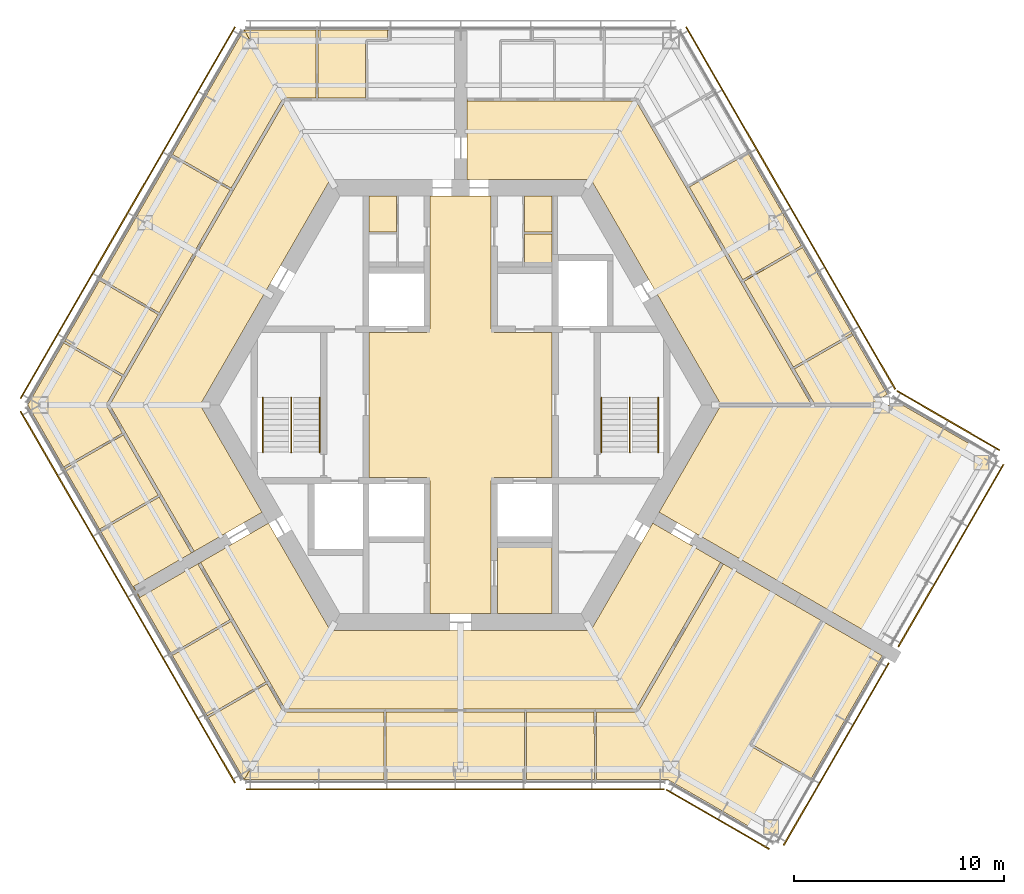
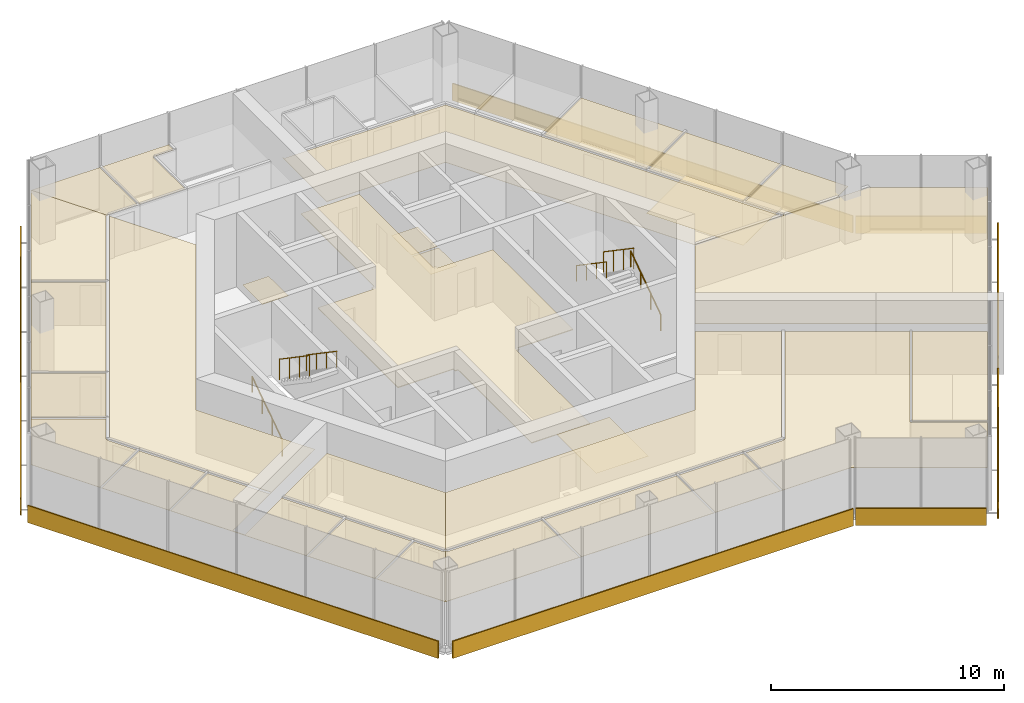
# One storey, part 12 of 13: 30 coverings, 8 shading devices, 6 railings.
"""IFC4 building model written with IfcOpenShell, lengths in metres."""

import ifcopenshell
import ifcopenshell.guid

model = None  # the IFC model being written
_history = None  # IfcOwnerHistory: only IFC2X3 demands one
_inside = {}  # id of a spatial element -> (the spatial element, [elements in it])
_under = {}  # id of a project, library or spatial element -> (it, [spatial elements below it])
_declared = {}  # id of a project -> (the project, [libraries it declares])
_typed = {}  # id of a type object -> (the type object, [elements of that type])
_made_of = {}  # id of a material, layer set ... -> (it, [elements and type objects made of it])


def new_model(schema):
    """Start an empty IFC model of exactly this schema.

    Asked for "IFC4X3", IfcOpenShell would pick the latest addendum, in which some entities
    have other attributes; the version numbers below select the first issue.
    IFC2X3 requires an IfcOwnerHistory on every rooted entity: one is made here for all.
    """
    global model, _history
    if schema == "IFC4X3":
        model = ifcopenshell.file(schema_version=(4, 3, 0, 0))
    else:
        model = ifcopenshell.file(schema=schema)
    _inside.clear()
    _under.clear()
    _declared.clear()
    _typed.clear()
    _made_of.clear()
    _history = None
    if model.schema == "IFC2X3":
        org = make("IfcOrganization", Name="unknown")
        user = make(
            "IfcPersonAndOrganization",
            ThePerson=make("IfcPerson", FamilyName="unknown"),
            TheOrganization=org,
        )
        app = make(
            "IfcApplication",
            ApplicationDeveloper=org,
            Version="unknown",
            ApplicationFullName="unknown",
            ApplicationIdentifier="unknown",
        )
        _history = make(
            "IfcOwnerHistory",
            OwningUser=user,
            OwningApplication=app,
            ChangeAction="ADDED",
            CreationDate=0,
        )
    return model


def make(cls, **values):
    """One entity of the class cls with the attributes given. An attribute that is None is left unset."""
    return model.create_entity(
        cls, **{name: value for name, value in values.items() if value is not None}
    )


def rooted(cls, **values):
    """An entity with a GlobalId (a new one), such as an element, a storey or a relation."""
    return make(cls, GlobalId=ifcopenshell.guid.new(), OwnerHistory=_history, **values)


def si_unit(unit_type, name, prefix=None):
    """IfcSIUnit, for example si_unit("LENGTHUNIT", "METRE", prefix="MILLI")."""
    return make("IfcSIUnit", UnitType=unit_type, Prefix=prefix, Name=name)


def assignment(units):
    """IfcUnitAssignment: the units of a project."""
    return None if units is None else make("IfcUnitAssignment", Units=units)


def point(xyz):
    """IfcCartesianPoint."""
    return None if xyz is None else make("IfcCartesianPoint", Coordinates=xyz)


def direction(xyz):
    """IfcDirection."""
    return None if xyz is None else make("IfcDirection", DirectionRatios=xyz)


def frame(location, z_axis=None, x_axis=None):
    """IfcAxis2Placement3D, a coordinate frame: its origin and axes. An axis left out is left unset."""
    return make(
        "IfcAxis2Placement3D",
        Location=point(location),
        Axis=direction(z_axis),
        RefDirection=direction(x_axis),
    )


def frame_2d(location, x_axis=None):
    """IfcAxis2Placement2D, a coordinate frame in the plane: its origin and x axis."""
    return make(
        "IfcAxis2Placement2D", Location=point(location), RefDirection=direction(x_axis)
    )


def origin():
    """The frame at (0, 0, 0) with its axes left unset."""
    return frame((0.0, 0.0, 0.0))


def origin_2d():
    """The frame at (0, 0) in the plane with its x axis left unset."""
    return frame_2d((0.0, 0.0))


def place(relative_to, where):
    """IfcLocalPlacement: puts the frame where relative to a parent placement (None: the world)."""
    return make(
        "IfcLocalPlacement", PlacementRelTo=relative_to, RelativePlacement=where
    )


def context(
    kind, dimensions, precision=None, world=None, true_north=None, identifier=None
):
    """IfcGeometricRepresentationContext, for example the 3D "Model" context."""
    return make(
        "IfcGeometricRepresentationContext",
        ContextIdentifier=identifier,
        ContextType=kind,
        CoordinateSpaceDimension=dimensions,
        Precision=precision,
        WorldCoordinateSystem=world,
        TrueNorth=true_north,
    )


def subcontext(parent, identifier, kind, view, scale=None):
    """IfcGeometricRepresentationSubContext, for example "Body" below "Model"."""
    return make(
        "IfcGeometricRepresentationSubContext",
        ContextIdentifier=identifier,
        ContextType=kind,
        ParentContext=parent,
        TargetScale=scale,
        TargetView=view,
    )


def project(units=None, contexts=None):
    """IfcProject with its units and contexts."""
    return rooted(
        "IfcProject",
        Name="project",
        RepresentationContexts=contexts,
        UnitsInContext=assignment(units),
    )


def spatial(cls, under=None, at=None, **own):
    """A site, building, storey or space (cls), placed at a placement, below another one or the project."""
    s = rooted(cls, ObjectPlacement=at, **own)
    if under is not None:
        _under.setdefault(under.id(), (under, []))[1].append(s)
    return s


def polyline(points):
    """IfcPolyline through the points."""
    return make("IfcPolyline", Points=[point(p) for p in points])


def profile(cls, at=None, kind="AREA", **sizes):
    """A parametric profile (cls). Its sizes go by their IFC names, for example OverallWidth=200.0."""
    return make(cls, ProfileType=kind, Position=at, **sizes)


def rectangle(**sizes):
    """IfcRectangleProfileDef."""
    return profile("IfcRectangleProfileDef", **sizes)


def circle(**sizes):
    """IfcCircleProfileDef."""
    return profile("IfcCircleProfileDef", **sizes)


def outline(outer, holes=None, kind="AREA"):
    """IfcArbitraryClosedProfileDef: a profile drawn as a closed curve; with holes, ...WithVoids."""
    if holes is None:
        return make("IfcArbitraryClosedProfileDef", ProfileType=kind, OuterCurve=outer)
    return make(
        "IfcArbitraryProfileDefWithVoids",
        ProfileType=kind,
        OuterCurve=outer,
        InnerCurves=holes,
    )


def extrude(swept, where, along, depth):
    """IfcExtrudedAreaSolid: the profile swept, set in the frame where, extruded along a direction by depth."""
    return make(
        "IfcExtrudedAreaSolid",
        SweptArea=swept,
        Position=where,
        ExtrudedDirection=direction(along),
        Depth=depth,
    )


def shape(context_of_items, identifier, shape_type, items):
    """IfcShapeRepresentation: the items that make up one representation, for example the "Body"."""
    return make(
        "IfcShapeRepresentation",
        ContextOfItems=context_of_items,
        RepresentationIdentifier=identifier,
        RepresentationType=shape_type,
        Items=items,
    )


def material(Name=None, Category=None):
    """IfcMaterial."""
    return make("IfcMaterial", Name=Name, Category=Category)


def layer(
    of_material, thickness, ventilated=None, Name=None, Category=None, Priority=None
):
    """IfcMaterialLayer: one layer of a wall or slab, of a material (None: an air gap)."""
    return make(
        "IfcMaterialLayer",
        Material=of_material,
        LayerThickness=thickness,
        IsVentilated=ventilated,
        Name=Name,
        Category=Category,
        Priority=Priority,
    )


def layer_set(layers, Name=None):
    """IfcMaterialLayerSet."""
    return make("IfcMaterialLayerSet", MaterialLayers=layers, LayerSetName=Name)


def made_of(thing, what):
    """Note that an element or type object is made of a material, layer set ...; save() writes the relation."""
    if what is not None:
        _made_of.setdefault(what.id(), (what, []))[1].append(thing)
    return thing


def type_object(cls, material=None, **own):
    """A type object (cls), such as IfcWallType, which elements share."""
    return made_of(rooted(cls, **own), material)


def element(
    cls,
    number,
    at=None,
    inside=None,
    cuts=None,
    type_object=None,
    material=None,
    context=None,
    identifier="Body",
    shape_type=None,
    held_by="IfcProductDefinitionShape",
    body=None,
    shapes=None,
    **own,
):
    """One element of the class cls, such as IfcWall. Its Tag is "e" and its number.

    at: its placement. inside: the storey or other place that contains it. cuts: it is an
    opening in that element (IfcRelVoidsElement). A single representation is given by context,
    identifier, shape_type and body (its items); several are given by shapes. held_by: the class
    of the entity that holds the representations. save() writes the other relations.
    """
    e = rooted(cls, Tag="e%d" % number, ObjectPlacement=at, **own)
    if body is not None:
        shapes = [shape(context, identifier, shape_type, body)]
    if shapes is not None:
        e.Representation = make(held_by, Representations=shapes)
    if inside is not None:
        _inside.setdefault(inside.id(), (inside, []))[1].append(e)
    if cuts is not None:
        rooted(
            "IfcRelVoidsElement", RelatingBuildingElement=cuts, RelatedOpeningElement=e
        )
    if type_object is not None:
        _typed.setdefault(type_object.id(), (type_object, []))[1].append(e)
    return made_of(e, material)


def aggregate(whole, parts):
    """IfcRelAggregates: a whole, such as a stair, and the parts it consists of."""
    return rooted("IfcRelAggregates", RelatingObject=whole, RelatedObjects=parts)


def save(model, path):
    """Write the relations noted so far, then the file.

    IfcRelAggregates (storeys below a building ...), IfcRelContainedInSpatialStructure (elements
    in a storey), IfcRelDefinesByType, IfcRelAssociatesMaterial and IfcRelDeclares: one each for
    every whole, place, type object, material and project.
    """
    for whole, parts in _under.values():
        aggregate(whole, parts)
    for where, things in _inside.values():
        rooted(
            "IfcRelContainedInSpatialStructure",
            RelatedElements=things,
            RelatingStructure=where,
        )
    for kind, things in _typed.values():
        rooted("IfcRelDefinesByType", RelatedObjects=things, RelatingType=kind)
    for what, things in _made_of.values():
        rooted("IfcRelAssociatesMaterial", RelatedObjects=things, RelatingMaterial=what)
    for by, libraries in _declared.values():
        rooted("IfcRelDeclares", RelatingContext=by, RelatedDefinitions=libraries)
    model.write(path)


model = new_model("IFC4")

# Units and contexts
model_context = context("Model", 3, precision=1e-05, world=origin(), true_north=direction((0.0, 1.0)))
body_context = subcontext(model_context, "Body", "Model", "MODEL_VIEW")
ifc_project = project(units=[si_unit("LENGTHUNIT", "METRE"), si_unit("AREAUNIT", "SQUARE_METRE"), si_unit("VOLUMEUNIT", "CUBIC_METRE"), si_unit("PLANEANGLEUNIT", "RADIAN"), si_unit("MASSUNIT", "GRAM", prefix="KILO")], contexts=[model_context])

# Site, building, storey
site_placement = place(None, origin())
site = spatial("IfcSite", under=ifc_project, at=site_placement, CompositionType="ELEMENT")
building_placement = place(site_placement, origin())
building = spatial("IfcBuilding", under=site, at=building_placement, Name="Kasaneha Research Tower", CompositionType="ELEMENT")
storey_placement = place(building_placement, frame((0.0, 0.0, 298.60009765625)))
storey = spatial("IfcBuildingStorey", under=building, at=storey_placement, Name="L75", CompositionType="ELEMENT", Elevation=298.60009765625)

# Covering
ifc_material_1 = material(Name="Aluminium panel ceiling", Category="aluminium")
ifc_layer_1 = layer(ifc_material_1, 0.0400390625)
ifc_layer_set_1 = layer_set([ifc_layer_1], Name="Lift lobby ceiling 40")
covering_type_1 = type_object("IfcCoveringType", Name="Lift lobby ceiling 40", PredefinedType="CEILING", material=ifc_layer_set_1)
covering_1_placement = place(storey_placement, frame((0.0, 0.0, 2.699951171875)))
element("IfcCovering", 1, at=covering_1_placement, inside=storey, type_object=covering_type_1, Name="Ceiling L75-01", PredefinedType="CEILING", context=body_context, shape_type="SweptSolid", body=[
    extrude(outline(polyline([(1.449951171875, 9.925048828125), (1.449951171875, 3.60009765625), (1.60009765625, 3.60009765625), (1.60009765625, 3.449951171875), (4.35009765625, 3.449951171875), (4.35009765625, -3.449951171875), (1.60009765625, -3.449951171875), (1.60009765625, -3.60009765625), (1.449951171875, -3.60009765625), (1.449951171875, -9.925048828125), (-1.449951171875, -9.925048828125), (-1.449951171875, -3.60009765625), (-1.60009765625, -3.60009765625), (-1.60009765625, -3.449951171875), (-4.35009765625, -3.449951171875), (-4.35009765625, 3.449951171875), (-1.60009765625, 3.449951171875), (-1.60009765625, 3.60009765625), (-1.449951171875, 3.60009765625), (-1.449951171875, 9.925048828125), (1.449951171875, 9.925048828125)])), origin(), (0.0, 0.0, 1.0), 0.0400390625),
])

# Railings
ifc_material_2 = material(Name="Steel", Category="steel")
railing_type_1 = type_object("IfcRailingType", Name="Stair balustrade 1100", PredefinedType="GUARDRAIL", material=ifc_material_2)
for number, where, name in (
    (2, (8.050048828125, 0.35009765625, 2.127197265625), "Stair 1 balustrade L75"),
    (3, (-8.050048828125, 0.35009765625, 2.127197265625), "Stair 2 balustrade L75"),
):
    element("IfcRailing", number, at=place(storey_placement, frame(where)), inside=storey, type_object=railing_type_1, Name=name, PredefinedType="GUARDRAIL", context=body_context, shape_type="SweptSolid", body=[
        extrude(circle(Radius=0.02392578125, at=origin_2d()), frame((0.0, 0.0, 1.076171875), z_axis=(0.0, -0.826240473404, 0.563317565952), x_axis=(1.0, 0.0, 0.0)), (0.0, 0.0, 1.0), 3.14697265625),
        extrude(circle(Radius=0.02099609375, at=origin_2d()), origin(), (0.0, 0.0, 1.0), 1.052001953125),
        extrude(circle(Radius=0.02099609375, at=origin_2d()), frame((0.0, -0.86669921875, 0.5908203125)), (0.0, 0.0, 1.0), 1.052001953125),
        extrude(circle(Radius=0.02099609375, at=origin_2d()), frame((0.0, -1.7333984375, 1.181884765625)), (0.0, 0.0, 1.0), 1.052001953125),
        extrude(circle(Radius=0.02099609375, at=origin_2d()), frame((0.0, -2.60009765625, 1.772705078125)), (0.0, 0.0, 1.0), 1.052001953125),
    ])
ifc_material_3 = material(Name="Steel", Category="steel")
railing_type_2 = type_object("IfcRailingType", Name="Stair handrail 850", PredefinedType="HANDRAIL", material=ifc_material_3)
railing_1_placement = place(storey_placement, frame((9.39990234375, -2.25, 0.17724609375)))
element("IfcRailing", 4, at=railing_1_placement, inside=storey, type_object=railing_type_2, Name="Stair 1 handrail L75", PredefinedType="HANDRAIL", context=body_context, shape_type="SweptSolid", body=[
    extrude(circle(Radius=0.02392578125, at=origin_2d()), frame((0.0, 0.0, 0.826171875), z_axis=(0.0, 0.826240473404, 0.563317565952), x_axis=(-1.0, 0.0, 0.0)), (0.0, 0.0, 1.0), 3.14697265625),
    extrude(circle(Radius=0.02099609375, at=origin_2d()), origin(), (0.0, 0.0, 1.0), 0.802001953125),
    extrude(circle(Radius=0.02099609375, at=origin_2d()), frame((0.0, 0.86669921875, 0.5908203125)), (0.0, 0.0, 1.0), 0.802001953125),
    extrude(circle(Radius=0.02099609375, at=origin_2d()), frame((0.0, 1.7333984375, 1.181884765625)), (0.0, 0.0, 1.0), 0.802001953125),
    extrude(circle(Radius=0.02099609375, at=origin_2d()), frame((0.0, 2.60009765625, 1.772705078125)), (0.0, 0.0, 1.0), 0.802001953125),
])
railing_2_placement = place(storey_placement, frame((6.699951171875, 0.35009765625, 2.127197265625)))
element("IfcRailing", 5, at=railing_2_placement, inside=storey, type_object=railing_type_2, Name="Stair 1 handrail L75", PredefinedType="HANDRAIL", context=body_context, shape_type="SweptSolid", body=[
    extrude(circle(Radius=0.02392578125, at=origin_2d()), frame((0.0, 0.0, 0.826171875), z_axis=(0.0, -0.826240473404, 0.563317565952), x_axis=(1.0, 0.0, 0.0)), (0.0, 0.0, 1.0), 3.14697265625),
    extrude(circle(Radius=0.02099609375, at=origin_2d()), origin(), (0.0, 0.0, 1.0), 0.802001953125),
    extrude(circle(Radius=0.02099609375, at=origin_2d()), frame((0.0, -0.86669921875, 0.5908203125)), (0.0, 0.0, 1.0), 0.802001953125),
    extrude(circle(Radius=0.02099609375, at=origin_2d()), frame((0.0, -1.7333984375, 1.181884765625)), (0.0, 0.0, 1.0), 0.802001953125),
    extrude(circle(Radius=0.02099609375, at=origin_2d()), frame((0.0, -2.60009765625, 1.772705078125)), (0.0, 0.0, 1.0), 0.802001953125),
])
railing_3_placement = place(storey_placement, frame((-9.39990234375, -2.25, 0.17724609375)))
element("IfcRailing", 6, at=railing_3_placement, inside=storey, type_object=railing_type_2, Name="Stair 2 handrail L75", PredefinedType="HANDRAIL", context=body_context, shape_type="SweptSolid", body=[
    extrude(circle(Radius=0.02392578125, at=origin_2d()), frame((0.0, 0.0, 0.826171875), z_axis=(0.0, 0.826240473404, 0.563317565952), x_axis=(-1.0, 0.0, 0.0)), (0.0, 0.0, 1.0), 3.14697265625),
    extrude(circle(Radius=0.02099609375, at=origin_2d()), origin(), (0.0, 0.0, 1.0), 0.802001953125),
    extrude(circle(Radius=0.02099609375, at=origin_2d()), frame((0.0, 0.86669921875, 0.5908203125)), (0.0, 0.0, 1.0), 0.802001953125),
    extrude(circle(Radius=0.02099609375, at=origin_2d()), frame((0.0, 1.7333984375, 1.181884765625)), (0.0, 0.0, 1.0), 0.802001953125),
    extrude(circle(Radius=0.02099609375, at=origin_2d()), frame((0.0, 2.60009765625, 1.772705078125)), (0.0, 0.0, 1.0), 0.802001953125),
])
railing_4_placement = place(storey_placement, frame((-6.699951171875, 0.35009765625, 2.127197265625)))
element("IfcRailing", 7, at=railing_4_placement, inside=storey, type_object=railing_type_2, Name="Stair 2 handrail L75", PredefinedType="HANDRAIL", context=body_context, shape_type="SweptSolid", body=[
    extrude(circle(Radius=0.02392578125, at=origin_2d()), frame((0.0, 0.0, 0.826171875), z_axis=(0.0, -0.826240473404, 0.563317565952), x_axis=(1.0, 0.0, 0.0)), (0.0, 0.0, 1.0), 3.14697265625),
    extrude(circle(Radius=0.02099609375, at=origin_2d()), origin(), (0.0, 0.0, 1.0), 0.802001953125),
    extrude(circle(Radius=0.02099609375, at=origin_2d()), frame((0.0, -0.86669921875, 0.5908203125)), (0.0, 0.0, 1.0), 0.802001953125),
    extrude(circle(Radius=0.02099609375, at=origin_2d()), frame((0.0, -1.7333984375, 1.181884765625)), (0.0, 0.0, 1.0), 0.802001953125),
    extrude(circle(Radius=0.02099609375, at=origin_2d()), frame((0.0, -2.60009765625, 1.772705078125)), (0.0, 0.0, 1.0), 0.802001953125),
])

# Coverings
ifc_material_4 = material(Name="Gypsum ceiling board", Category="gypsum")
ifc_layer_2 = layer(ifc_material_4, 0.02001953125)
ifc_layer_set_2 = layer_set([ifc_layer_2], Name="Suspended ceiling 20")
covering_type_2 = type_object("IfcCoveringType", Name="Suspended ceiling 20", PredefinedType="CEILING", material=ifc_layer_set_2)
covering_2_placement = place(storey_placement, frame((0.0, 0.0, 2.25)))
element("IfcCovering", 8, at=covering_2_placement, inside=storey, type_object=covering_type_2, Name="Ceiling L75-27", PredefinedType="CEILING", context=body_context, shape_type="SweptSolid", body=[
    extrude(outline(polyline([(6.192138671875, 10.72509765625), (0.300048828125, 10.72509765625), (0.300048828125, 11.72509765625), (0.300048828125, 12.72509765625), (0.300048828125, 14.52490234375), (0.320068359375, 14.52490234375), (0.320068359375, 14.449951171875), (1.89501953125, 14.449951171875), (1.905029296875, 14.449951171875), (4.4599609375, 14.449951171875), (4.469970703125, 14.449951171875), (6.825927734375, 14.449951171875), (6.8359375, 14.449951171875), (8.3427734375, 14.449951171875), (9.053955078125, 13.21826171875), (9.053955078125, 13.21826171875), (10.719970703125, 10.332763671875), (10.719970703125, 10.332763671875), (13.316162109375, 5.8359375), (13.316162109375, 5.8359375), (15.720703125, 1.6708984375), (15.720703125, 1.671142578125), (16.685546875, 0.0), (12.38427734375, 0.0), (6.192138671875, 10.72509765625)])), origin(), (0.0, 0.0, 1.0), 0.02001953125),
])
covering_3_placement = place(storey_placement, frame((0.0, 0.0, 2.25)))
element("IfcCovering", 9, at=covering_3_placement, inside=storey, type_object=covering_type_2, Name="Ceiling L75-29", PredefinedType="CEILING", context=body_context, shape_type="SweptSolid", body=[
    extrude(outline(polyline([(16.232177734375, 7.525146484375), (13.640869140625, 12.013427734375), (13.623779296875, 12.003662109375), (13.623291015625, 12.00439453125), (13.640869140625, 12.0146484375), (18.637451171875, 3.36083984375), (18.61962890625, 3.350830078125), (18.5947265625, 3.39404296875), (15.820556640625, 1.7978515625), (13.470947265625, 5.86767578125), (16.2490234375, 7.477294921875), (16.223876953125, 7.5205078125), (16.232177734375, 7.525146484375)])), origin(), (0.0, 0.0, 1.0), 0.02001953125),
])
covering_4_placement = place(storey_placement, frame((0.0, 0.0, 2.25)))
element("IfcCovering", 10, at=covering_4_placement, inside=storey, type_object=covering_type_2, Name="Ceiling L75-33", PredefinedType="CEILING", context=body_context, shape_type="SweptSolid", body=[
    extrude(outline(polyline([(19.41845703125, 0.0), (16.77197265625, 0.0), (16.760498046875, 0.02001953125), (16.825439453125, 0.0576171875), (15.87060546875, 1.711181640625), (18.64453125, 3.307373046875), (18.619873046875, 3.3505859375), (18.63720703125, 3.360595703125), (20.28759765625, 0.501708984375), (19.41845703125, 0.0)])), origin(), (0.0, 0.0, 1.0), 0.02001953125),
])
covering_5_placement = place(storey_placement, frame((0.0, 0.0, 2.25)))
element("IfcCovering", 11, at=covering_5_placement, inside=storey, type_object=covering_type_2, Name="Ceiling L75-35", PredefinedType="CEILING", context=body_context, shape_type="SweptSolid", body=[
    extrude(outline(polyline([(16.232177734375, 7.525146484375), (16.223876953125, 7.5205078125), (16.19873046875, 7.563720703125), (13.4208984375, 5.954345703125), (10.874755859375, 10.3642578125), (13.6484375, 11.961181640625), (13.623779296875, 12.003662109375), (13.640869140625, 12.013427734375), (16.232177734375, 7.525146484375)])), origin(), (0.0, 0.0, 1.0), 0.02001953125),
])
covering_6_placement = place(storey_placement, frame((0.0, 0.0, 2.25)))
element("IfcCovering", 12, at=covering_6_placement, inside=storey, type_object=covering_type_2, Name="Ceiling L75-38", PredefinedType="CEILING", context=body_context, shape_type="SweptSolid", body=[
    extrude(outline(polyline([(-3.41552734375, 17.800537109375), (-3.465087890625, 17.800537109375), (-3.465087890625, 17.375), (-4.465087890625, 17.375), (-4.465087890625, 17.324951171875), (-4.514892578125, 17.324951171875), (-4.510009765625, 14.60009765625), (-6.776611328125, 14.60009765625), (-6.781005859375, 17.800537109375), (-6.8310546875, 17.800537109375), (-6.8310546875, 17.820556640625), (-3.41552734375, 17.820556640625), (-3.41552734375, 17.800537109375)])), origin(), (0.0, 0.0, 1.0), 0.02001953125),
])
covering_7_placement = place(storey_placement, frame((0.0, 0.0, 2.25)))
element("IfcCovering", 13, at=covering_7_placement, inside=storey, type_object=covering_type_2, Name="Ceiling L75-39", PredefinedType="CEILING", context=body_context, shape_type="SweptSolid", body=[
    extrude(outline(polyline([(-6.83154296875, 17.800537109375), (-6.880859375, 17.800537109375), (-6.876708984375, 14.60009765625), (-8.36279296875, 14.60009765625), (-8.36279296875, 14.525390625), (-8.38623046875, 14.525390625), (-10.28857421875, 17.820556640625), (-6.83154296875, 17.820556640625), (-6.83154296875, 17.800537109375)])), origin(), (0.0, 0.0, 1.0), 0.02001953125),
])
covering_8_placement = place(storey_placement, frame((0.0, 0.0, 2.25)))
element("IfcCovering", 14, at=covering_8_placement, inside=storey, type_object=covering_type_2, Name="Ceiling L75-40", PredefinedType="CEILING", context=body_context, shape_type="SweptSolid", body=[
    extrude(outline(polyline([(-12.38427734375, 0.0), (-9.438232421875, -5.102783203125), (-10.30419921875, -5.602783203125), (-10.30419921875, -5.602783203125), (-11.170166015625, -6.102783203125), (-11.170166015625, -6.102783203125), (-12.72900390625, -7.002685546875), (-12.739013671875, -6.9853515625), (-12.674072265625, -6.947998046875), (-14.219482421875, -4.271484375), (-14.21923828125, -4.271484375), (-15.93212890625, -1.304931640625), (-15.93212890625, -1.304931640625), (-16.685302734375, 0.0), (-15.93212890625, 1.304931640625), (-15.93212890625, 1.304931640625), (-14.22412109375, 4.26318359375), (-14.22412109375, 4.26318359375), (-10.803955078125, 10.186767578125), (-10.80419921875, 10.186767578125), (-8.3427734375, 14.449951171875), (-8.3427734375, 14.449951171875), (-6.192138671875, 10.72509765625), (-12.38427734375, 0.0)])), origin(), (0.0, 0.0, 1.0), 0.02001953125),
])
covering_9_placement = place(storey_placement, frame((0.0, 0.0, 2.25)))
element("IfcCovering", 15, at=covering_9_placement, inside=storey, type_object=covering_type_2, Name="Ceiling L75-41", PredefinedType="CEILING", context=body_context, shape_type="SweptSolid", body=[
    extrude(outline(polyline([(-12.027587890625, 14.83251953125), (-10.299072265625, 17.826416015625), (-10.291748046875, 17.83203125), (-10.282470703125, 17.830810546875), (-8.3759765625, 14.531494140625), (-8.374267578125, 14.524658203125), (-8.379150390625, 14.513916015625), (-8.386474609375, 14.525146484375), (-8.39794921875, 14.505126953125), (-8.462646484375, 14.54248046875), (-10.908935546875, 10.304931640625), (-13.691650390625, 11.906494140625), (-13.716552734375, 11.86328125), (-13.725341796875, 11.8681640625), (-12.023193359375, 14.816162109375), (-12.02880859375, 14.822998046875), (-12.027587890625, 14.83251953125)])), origin(), (0.0, 0.0, 1.0), 0.02001953125),
])
covering_10_placement = place(storey_placement, frame((0.0, 0.0, 2.25)))
element("IfcCovering", 16, at=covering_10_placement, inside=storey, type_object=covering_type_2, Name="Ceiling L75-42", PredefinedType="CEILING", context=body_context, shape_type="SweptSolid", body=[
    extrude(outline(polyline([(-17.12353515625, 5.9423828125), (-17.1484375, 5.899169921875), (-14.37890625, 4.294921875), (-16.0322265625, 1.431396484375), (-18.81494140625, 3.032958984375), (-18.83984375, 2.989501953125), (-18.848388671875, 2.994384765625), (-17.140869140625, 5.952392578125), (-17.12353515625, 5.9423828125)])), origin(), (0.0, 0.0, 1.0), 0.02001953125),
])
covering_11_placement = place(storey_placement, frame((0.0, 0.0, 2.25)))
element("IfcCovering", 17, at=covering_11_placement, inside=storey, type_object=covering_type_2, Name="Ceiling L75-43", PredefinedType="CEILING", context=body_context, shape_type="SweptSolid", body=[
    extrude(outline(polyline([(-18.83984375, -2.989501953125), (-18.81494140625, -3.032958984375), (-16.0322265625, -1.431396484375), (-14.379150390625, -4.294677734375), (-17.1484375, -5.899169921875), (-17.12353515625, -5.9423828125), (-17.140869140625, -5.952392578125), (-18.848388671875, -2.994384765625), (-18.83984375, -2.989501953125)])), origin(), (0.0, 0.0, 1.0), 0.02001953125),
])
covering_12_placement = place(storey_placement, frame((0.0, 0.0, 2.25)))
element("IfcCovering", 18, at=covering_12_placement, inside=storey, type_object=covering_type_2, Name="Ceiling L75-44", PredefinedType="CEILING", context=body_context, shape_type="SweptSolid", body=[
    extrude(outline(polyline([(-15.539794921875, -8.62548828125), (-15.539794921875, -8.62548828125), (-15.3896484375, -8.88525390625), (-15.43310546875, -8.91015625), (-17.140869140625, -5.952392578125), (-17.12353515625, -5.9423828125), (-17.098388671875, -5.985595703125), (-14.3291015625, -4.381103515625), (-12.803955078125, -7.02294921875), (-12.739013671875, -6.9853515625), (-12.72900390625, -7.002685546875), (-15.539794921875, -8.62548828125), (-15.539794921875, -8.62548828125)])), origin(), (0.0, 0.0, 1.0), 0.02001953125),
])
covering_13_placement = place(storey_placement, frame((0.0, 0.0, 2.25)))
element("IfcCovering", 19, at=covering_13_placement, inside=storey, type_object=covering_type_2, Name="Ceiling L75-45", PredefinedType="CEILING", context=body_context, shape_type="SweptSolid", body=[
    extrude(outline(polyline([(-17.140380859375, 5.952880859375), (-13.7255859375, 11.86767578125), (-13.716796875, 11.86279296875), (-13.74169921875, 11.81982421875), (-10.958984375, 10.218505859375), (-14.328857421875, 4.381591796875), (-17.098388671875, 5.985595703125), (-17.123291015625, 5.94287109375), (-17.140380859375, 5.952880859375)])), origin(), (0.0, 0.0, 1.0), 0.02001953125),
])
covering_14_placement = place(storey_placement, frame((0.0, 0.0, 2.25)))
element("IfcCovering", 20, at=covering_14_placement, inside=storey, type_object=covering_type_2, Name="Ceiling L75-46", PredefinedType="CEILING", context=body_context, shape_type="SweptSolid", body=[
    extrude(outline(polyline([(-18.840087890625, 2.989013671875), (-18.86474609375, 2.946044921875), (-16.082275390625, 1.3447265625), (-16.8369140625, 0.03759765625), (-16.7724609375, 0.000244140625), (-16.7724609375, 0.0), (-16.7724609375, -0.000244140625), (-16.8369140625, -0.03759765625), (-16.082275390625, -1.3447265625), (-18.86474609375, -2.946044921875), (-18.840087890625, -2.989013671875), (-18.8486328125, -2.994140625), (-20.577392578125, 0.0), (-18.8486328125, 2.994140625), (-18.840087890625, 2.989013671875)])), origin(), (0.0, 0.0, 1.0), 0.02001953125),
])
covering_15_placement = place(storey_placement, frame((0.0, 0.0, 2.25)))
element("IfcCovering", 21, at=covering_15_placement, inside=storey, type_object=covering_type_2, Name="Ceiling L75-47", PredefinedType="CEILING", context=body_context, shape_type="SweptSolid", body=[
    extrude(outline(polyline([(-10.8701171875, -6.622314453125), (-10.004150390625, -6.122314453125), (-10.004150390625, -6.122314453125), (-9.13818359375, -5.622314453125), (-6.192138671875, -10.72509765625), (-8.3427734375, -14.449951171875), (-8.3427734375, -14.449951171875), (-9.09619140625, -13.14501953125), (-9.095947265625, -13.14501953125), (-10.803955078125, -10.187255859375), (-10.803955078125, -10.187255859375), (-12.35400390625, -7.502197265625), (-12.4189453125, -7.53955078125), (-12.428955078125, -7.522216796875), (-10.8701171875, -6.622314453125), (-10.8701171875, -6.622314453125)])), origin(), (0.0, 0.0, 1.0), 0.02001953125),
])
covering_16_placement = place(storey_placement, frame((0.0, 0.0, 2.25)))
element("IfcCovering", 22, at=covering_16_placement, inside=storey, type_object=covering_type_2, Name="Ceiling L75-48", PredefinedType="CEILING", context=body_context, shape_type="SweptSolid", body=[
    extrude(outline(polyline([(-15.3896484375, -8.88525390625), (-15.23974609375, -9.14501953125), (-15.23974609375, -9.14501953125), (-15.23974609375, -9.14501953125), (-12.425048828125, -7.52001953125), (-12.428955078125, -7.522216796875), (-12.4189453125, -7.53955078125), (-12.48388671875, -7.5771484375), (-10.963623046875, -10.21044921875), (-13.74169921875, -11.81982421875), (-13.716552734375, -11.86328125), (-13.725341796875, -11.8681640625), (-15.43310546875, -8.91015625), (-15.3896484375, -8.88525390625)])), origin(), (0.0, 0.0, 1.0), 0.02001953125),
])
covering_17_placement = place(storey_placement, frame((0.0, 0.0, 2.25)))
element("IfcCovering", 23, at=covering_17_placement, inside=storey, type_object=covering_type_2, Name="Ceiling L75-49", PredefinedType="CEILING", context=body_context, shape_type="SweptSolid", body=[
    extrude(outline(polyline([(-13.716552734375, -11.86328125), (-13.691650390625, -11.90625), (-10.913818359375, -10.297119140625), (-9.255615234375, -13.168701171875), (-12.025146484375, -14.772705078125), (-12.000244140625, -14.81591796875), (-12.017578125, -14.825927734375), (-13.725341796875, -11.8681640625), (-13.716552734375, -11.86328125)])), origin(), (0.0, 0.0, 1.0), 0.02001953125),
])
covering_18_placement = place(storey_placement, frame((0.0, 0.0, 2.25)))
element("IfcCovering", 24, at=covering_18_placement, inside=storey, type_object=covering_type_2, Name="Ceiling L75-50", PredefinedType="CEILING", context=body_context, shape_type="SweptSolid", body=[
    extrude(outline(polyline([(-12.0, -14.81640625), (-11.97509765625, -14.859375), (-9.205810546875, -13.25537109375), (-8.462646484375, -14.54248046875), (-8.39794921875, -14.505126953125), (-8.38623046875, -14.525390625), (-10.28857421875, -17.820556640625), (-12.017333984375, -14.826416015625), (-12.0, -14.81640625)])), origin(), (0.0, 0.0, 1.0), 0.02001953125),
])
covering_19_placement = place(storey_placement, frame((0.0, 0.0, 2.25)))
element("IfcCovering", 25, at=covering_19_placement, inside=storey, type_object=covering_type_2, Name="Ceiling L75-51", PredefinedType="CEILING", context=body_context, shape_type="SweptSolid", body=[
    extrude(outline(polyline([(11.170166015625, -6.102783203125), (10.30419921875, -5.602783203125), (10.227783203125, -5.55859375), (9.438232421875, -5.102783203125), (12.38427734375, 0.0), (16.685546875, 0.0), (16.695556640625, -0.017578125), (16.725830078125, 0.0), (21.0, 0.0), (25.446044921875, -2.56689453125), (20.34619140625, -11.400390625), (12.1259765625, -6.654541015625), (11.170166015625, -6.102783203125)])), origin(), (0.0, 0.0, 1.0), 0.02001953125),
])
covering_20_placement = place(storey_placement, frame((0.0, 0.0, 2.25)))
element("IfcCovering", 26, at=covering_20_placement, inside=storey, type_object=covering_type_2, Name="Ceiling L75-52", PredefinedType="CEILING", context=body_context, shape_type="SweptSolid", body=[
    extrude(outline(polyline([(-6.192138671875, -10.72509765625), (6.192138671875, -10.72509765625), (9.13818359375, -5.622314453125), (10.004150390625, -6.122314453125), (10.004150390625, -6.122314453125), (10.8701171875, -6.622314453125), (10.8701171875, -6.622314453125), (12.428955078125, -7.522216796875), (12.4189453125, -7.53955078125), (12.35400390625, -7.502197265625), (8.3427734375, -14.449951171875), (6.413330078125, -14.449951171875), (6.40380859375, -14.449951171875), (3.081787109375, -14.449951171875), (3.072509765625, -14.449951171875), (-3.57958984375, -14.449951171875), (-3.589111328125, -14.449951171875), (-8.3427734375, -14.449951171875), (-6.192138671875, -10.72509765625)])), origin(), (0.0, 0.0, 1.0), 0.02001953125),
])
covering_21_placement = place(storey_placement, frame((0.0, 0.0, 2.25)))
element("IfcCovering", 27, at=covering_21_placement, inside=storey, type_object=covering_type_2, Name="Ceiling L75-53", PredefinedType="CEILING", context=body_context, shape_type="SweptSolid", body=[
    extrude(outline(polyline([(-8.38671875, -14.525146484375), (-8.36279296875, -14.525146484375), (-8.36279296875, -14.60009765625), (-3.638916015625, -14.60009765625), (-3.634521484375, -17.800537109375), (-3.58447265625, -17.800537109375), (-3.58447265625, -17.820556640625), (-10.2890625, -17.82080078125), (-8.38671875, -14.525146484375)])), origin(), (0.0, 0.0, 1.0), 0.02001953125),
])
covering_22_placement = place(storey_placement, frame((0.0, 0.0, 2.25)))
element("IfcCovering", 28, at=covering_22_placement, inside=storey, type_object=covering_type_2, Name="Ceiling L75-54", PredefinedType="CEILING", context=body_context, shape_type="SweptSolid", body=[
    extrude(outline(polyline([(3.077392578125, -17.800537109375), (3.12744140625, -17.800537109375), (3.131591796875, -14.60009765625), (6.35400390625, -14.60009765625), (6.3583984375, -17.800537109375), (6.408203125, -17.800537109375), (6.408203125, -17.820556640625), (3.077392578125, -17.820556640625), (3.077392578125, -17.800537109375)])), origin(), (0.0, 0.0, 1.0), 0.02001953125),
])
covering_23_placement = place(storey_placement, frame((0.0, 0.0, 2.25)))
element("IfcCovering", 29, at=covering_23_placement, inside=storey, type_object=covering_type_2, Name="Ceiling L75-55", PredefinedType="CEILING", context=body_context, shape_type="SweptSolid", body=[
    extrude(outline(polyline([(16.646240234375, -17.80908203125), (16.62890625, -17.799072265625), (16.65380859375, -17.755615234375), (13.856689453125, -16.140625), (17.2216796875, -10.3125), (17.17822265625, -10.287353515625), (17.188232421875, -10.27001953125), (20.046142578125, -11.920166015625), (16.646240234375, -17.80908203125)])), origin(), (0.0, 0.0, 1.0), 0.02001953125),
])
covering_24_placement = place(storey_placement, frame((0.0, 0.0, 2.25)))
element("IfcCovering", 30, at=covering_24_placement, inside=storey, type_object=covering_type_2, Name="Ceiling L75-56", PredefinedType="CEILING", context=body_context, shape_type="SweptSolid", body=[
    extrude(outline(polyline([(13.788330078125, -16.1591796875), (13.76318359375, -16.202392578125), (16.603759765625, -17.84228515625), (16.62841796875, -17.799560546875), (16.64599609375, -17.8095703125), (14.946044921875, -20.75341796875), (9.865966796875, -17.820556640625), (6.40869140625, -17.820556640625), (6.40869140625, -17.800537109375), (6.458251953125, -17.800537109375), (6.453857421875, -14.60009765625), (8.385986328125, -14.60009765625), (8.385986328125, -14.525390625), (8.386474609375, -14.525390625), (8.386474609375, -14.525146484375), (8.450927734375, -14.5625), (12.48388671875, -7.5771484375), (12.41943359375, -7.539794921875), (12.429443359375, -7.5224609375), (17.187744140625, -10.269775390625), (17.177734375, -10.287109375), (17.135009765625, -10.262451171875), (13.7451171875, -16.134033203125), (13.787841796875, -16.15869140625), (13.787841796875, -16.158935546875), (13.788330078125, -16.1591796875)])), origin(), (0.0, 0.0, 1.0), 0.02001953125),
])
covering_25_placement = place(storey_placement, frame((0.0, 0.0, 2.25)))
element("IfcCovering", 31, at=covering_25_placement, inside=storey, type_object=covering_type_2, Name="Ceiling L75-57", PredefinedType="CEILING", context=body_context, shape_type="SweptSolid", body=[
    extrude(outline(polyline([(3.076904296875, -17.820556640625), (-3.583984375, -17.820556640625), (-3.583984375, -17.800537109375), (-3.534423828125, -17.800537109375), (-3.538818359375, -14.60009765625), (3.03173828125, -14.60009765625), (3.02734375, -17.800537109375), (3.076904296875, -17.800537109375), (3.076904296875, -17.820556640625)])), origin(), (0.0, 0.0, 1.0), 0.02001953125),
])

# Shading devices
ifc_material_5 = material(Name="Terracotta", Category="masonry")
ifc_layer_3 = layer(ifc_material_5, 0.06005859375)
ifc_layer_set_3 = layer_set([ifc_layer_3], Name="Terracotta baguette screen")
shading_device_type = type_object("IfcShadingDeviceType", Name="Terracotta baguette screen", PredefinedType="USERDEFINED", material=ifc_layer_set_3)
shading_device_1_placement = place(storey_placement, frame((15.696044921875, 9.35498046875, -0.449951171875), z_axis=(0.0, 0.0, 1.0), x_axis=(-0.499999979232, 0.866025415775, 0.0)))
element("IfcShadingDevice", 32, at=shading_device_1_placement, inside=storey, type_object=shading_device_type, Name="Baguette screen L75 01", ObjectType="TERRACOTTA BAGUETTE SCREEN", PredefinedType="USERDEFINED", context=body_context, shape_type="SweptSolid", body=[
    extrude(rectangle(XDim=19.8857421875, YDim=0.06005859375, at=origin_2d()), origin(), (0.0, 0.0, 1.0), 0.89990234375),
])
for number, where, z_axis, x_axis, name in (
    (33, (-15.82275390625, 9.13525390625, -0.449951171875), (0.0, 0.0, 1.0), (-0.499999995722, -0.866025406254, 0.0), "Baguette screen L75 03"),
    (34, (-15.82275390625, -9.13525390625, -0.449951171875), (0.0, 0.0, 1.0), (0.499999995722, -0.866025406254, 0.0), "Baguette screen L75 04"),
):
    element("IfcShadingDevice", number, at=place(storey_placement, frame(where, z_axis=z_axis, x_axis=x_axis)), inside=storey, type_object=shading_device_type, Name=name, ObjectType="TERRACOTTA BAGUETTE SCREEN", PredefinedType="USERDEFINED", context=body_context, shape_type="SweptSolid", body=[
        extrude(rectangle(XDim=20.392822265625, YDim=0.06005859375, at=origin_2d()), origin(), (0.0, 0.0, 1.0), 0.89990234375),
    ])
shading_device_2_placement = place(storey_placement, frame((-0.253662109375, -18.2705078125, -0.449951171875), z_axis=(0.0, 0.0, 1.0), x_axis=(1.0, 0.0, 0.0)))
element("IfcShadingDevice", 35, at=shading_device_2_placement, inside=storey, type_object=shading_device_type, Name="Baguette screen L75 05", ObjectType="TERRACOTTA BAGUETTE SCREEN", PredefinedType="USERDEFINED", context=body_context, shape_type="SweptSolid", body=[
    extrude(rectangle(XDim=19.8857421875, YDim=0.06005859375, at=origin_2d()), origin(), (0.0, 0.0, 1.0), 0.89990234375),
])
shading_device_3_placement = place(storey_placement, frame((12.236083984375, -19.70849609375, -0.449951171875), z_axis=(0.0, 0.0, 1.0), x_axis=(0.866025443395, -0.499999931393, 0.0)))
element("IfcShadingDevice", 36, at=shading_device_3_placement, inside=storey, type_object=shading_device_type, Name="Baguette screen L75 06", ObjectType="TERRACOTTA BAGUETTE SCREEN", PredefinedType="USERDEFINED", context=body_context, shape_type="SweptSolid", body=[
    extrude(rectangle(XDim=5.63916015625, YDim=0.06005859375, at=origin_2d()), origin(), (0.0, 0.0, 1.0), 0.89990234375),
])
for number, where, z_axis, x_axis, name in (
    (37, (17.86083984375, -16.60498046875, -0.449951171875), (0.0, 0.0, 1.0), (0.500000011442, 0.866025397178, 0.0), "Baguette screen L75 07"),
    (38, (23.310791015625, -7.16552734375, -0.449951171875), (0.0, 0.0, 1.0), (0.500000011442, 0.866025397178, 0.0), "Baguette screen L75 08"),
):
    element("IfcShadingDevice", number, at=place(storey_placement, frame(where, z_axis=z_axis, x_axis=x_axis)), inside=storey, type_object=shading_device_type, Name=name, ObjectType="TERRACOTTA BAGUETTE SCREEN", PredefinedType="USERDEFINED", context=body_context, shape_type="SweptSolid", body=[
        extrude(rectangle(XDim=10.0, YDim=0.06005859375, at=origin_2d()), origin(), (0.0, 0.0, 1.0), 0.89990234375),
    ])
shading_device_4_placement = place(storey_placement, frame((23.18603515625, -0.742431640625, -0.449951171875), z_axis=(0.0, 0.0, 1.0), x_axis=(-0.866025443395, 0.499999931393, 0.0)))
element("IfcShadingDevice", 39, at=shading_device_4_placement, inside=storey, type_object=shading_device_type, Name="Baguette screen L75 09", ObjectType="TERRACOTTA BAGUETTE SCREEN", PredefinedType="USERDEFINED", context=body_context, shape_type="SweptSolid", body=[
    extrude(rectangle(XDim=5.63916015625, YDim=0.06005859375, at=origin_2d()), origin(), (0.0, 0.0, 1.0), 0.89990234375),
])

# Coverings
ifc_material_6 = material(Name="Vinyl sheet flooring", Category="plastic")
ifc_layer_4 = layer(ifc_material_6, 0.0048828125)
ifc_layer_set_4 = layer_set([ifc_layer_4], Name="Wet room sheet flooring 5")
covering_type_3 = type_object("IfcCoveringType", Name="Wet room sheet flooring 5", PredefinedType="FLOORING", material=ifc_layer_set_4)
covering_26_placement = place(storey_placement, origin())
element("IfcCovering", 40, at=covering_26_placement, inside=storey, type_object=covering_type_3, Name="Floor finish L75-07", PredefinedType="FLOORING", context=body_context, shape_type="SweptSolid", body=[
    extrude(outline(polyline([(-4.35009765625, 8.22509765625), (-4.35009765625, 9.925048828125), (-3.050048828125, 9.925048828125), (-3.050048828125, 8.22509765625), (-4.35009765625, 8.22509765625)])), origin(), (0.0, 0.0, 1.0), 0.0048828125),
])
covering_27_placement = place(storey_placement, origin())
element("IfcCovering", 41, at=covering_27_placement, inside=storey, type_object=covering_type_3, Name="Floor finish L75-10", PredefinedType="FLOORING", context=body_context, shape_type="SweptSolid", body=[
    extrude(outline(polyline([(4.35009765625, 8.22509765625), (3.050048828125, 8.22509765625), (3.050048828125, 9.925048828125), (4.35009765625, 9.925048828125), (4.35009765625, 8.22509765625)])), origin(), (0.0, 0.0, 1.0), 0.0048828125),
])
covering_28_placement = place(storey_placement, origin())
element("IfcCovering", 42, at=covering_28_placement, inside=storey, type_object=covering_type_3, Name="Floor finish L75-11", PredefinedType="FLOORING", context=body_context, shape_type="SweptSolid", body=[
    extrude(outline(polyline([(3.050048828125, 6.550048828125), (3.050048828125, 8.125), (4.35009765625, 8.125), (4.35009765625, 7.0), (4.35009765625, 6.550048828125), (3.050048828125, 6.550048828125)])), origin(), (0.0, 0.0, 1.0), 0.0048828125),
])
covering_29_placement = place(storey_placement, origin())
element("IfcCovering", 43, at=covering_29_placement, inside=storey, type_object=covering_type_3, Name="Floor finish L75-13", PredefinedType="FLOORING", context=body_context, shape_type="SweptSolid", body=[
    extrude(outline(polyline([(1.75, -9.925048828125), (1.75, -6.550048828125), (4.35009765625, -6.550048828125), (4.35009765625, -9.925048828125), (1.75, -9.925048828125)])), origin(), (0.0, 0.0, 1.0), 0.0048828125),
])
covering_30_placement = place(storey_placement, origin())
element("IfcCovering", 44, at=covering_30_placement, inside=storey, type_object=covering_type_3, Name="Floor finish L75-29", PredefinedType="FLOORING", context=body_context, shape_type="SweptSolid", body=[
    extrude(outline(polyline([(15.783447265625, 1.712890625), (13.378662109375, 5.877685546875), (16.232177734375, 7.525146484375), (13.640869140625, 12.013427734375), (10.786865234375, 10.366455078125), (13.640869140625, 12.0146484375), (18.637451171875, 3.36083984375), (15.783447265625, 1.712890625)])), origin(), (0.0, 0.0, 1.0), 0.0048828125),
])

save(model, "model.ifc")
